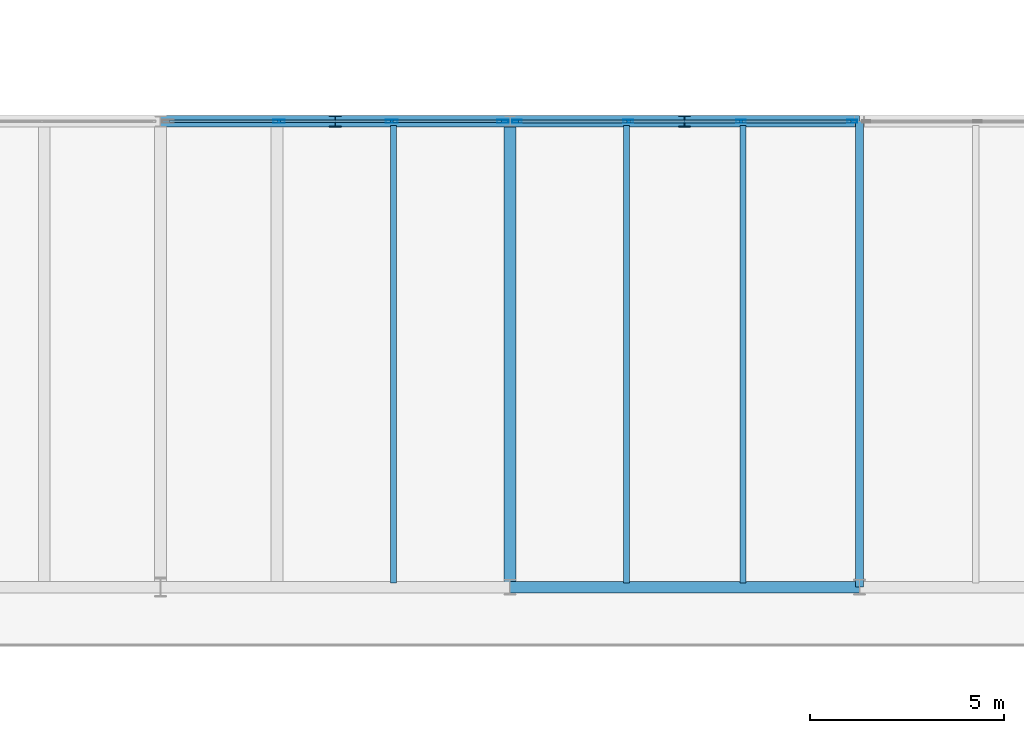
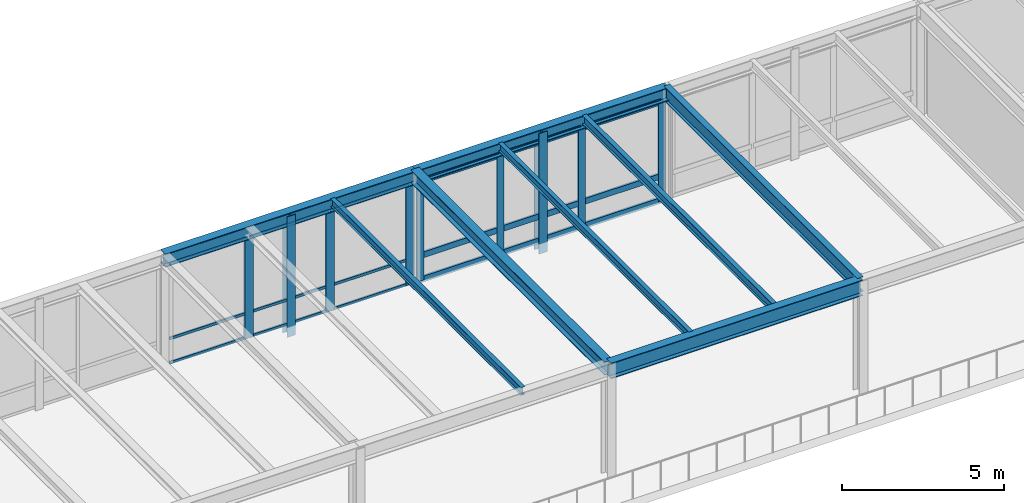
# One storey, part 68 of 115: 27 members, 8 beams, 2 elements without a shape of their own.
"""IFC4 building model written with IfcOpenShell, lengths in metres."""

from ifc_helpers import new_model, si_unit, direction, frame, origin, origin_2d, place, context, subcontext, project, spatial, hollow_rectangle, i_section, extrude, material, layer, layer_set, material_profile, profile_set, type_object, element, aggregate, save


model = new_model("IFC4")

# Units and contexts
model_context = context("Model", 3, precision=1e-05, world=origin(), true_north=direction((0.0, 1.0)))
body_context = subcontext(model_context, "Body", "Model", "MODEL_VIEW")
ifc_project = project(units=[si_unit("LENGTHUNIT", "METRE"), si_unit("AREAUNIT", "SQUARE_METRE"), si_unit("VOLUMEUNIT", "CUBIC_METRE"), si_unit("PLANEANGLEUNIT", "RADIAN"), si_unit("MASSUNIT", "GRAM", prefix="KILO")], contexts=[model_context])

# Site, building, storey
site_placement = place(None, origin())
site = spatial("IfcSite", under=ifc_project, at=site_placement, CompositionType="ELEMENT")
building_placement = place(site_placement, origin())
building = spatial("IfcBuilding", under=site, at=building_placement, Name="Montelvaro Courts of Justice", CompositionType="ELEMENT")
storey_placement = place(building_placement, frame((0.0, 0.0, 9.89990234375)))
storey = spatial("IfcBuildingStorey", under=building, at=storey_placement, Name="L02", CompositionType="ELEMENT", Elevation=9.89990234375)

# Beams
ifc_material_1 = material(Name="Steel S355", Category="steel")
ifc_material_profile_1 = material_profile(ifc_material_1, i_section(OverallWidth=0.300048828125, OverallDepth=0.489990234375, WebThickness=0.011962890625, FlangeThickness=0.02294921875, at=origin_2d()), Name="HEA 500")
ifc_profile_set_1 = profile_set([ifc_material_profile_1], Name="Steel S355")
beam_type_1 = type_object("IfcBeamType", Name="Beam_HEA500", PredefinedType="USERDEFINED", material=ifc_profile_set_1)
beam_1_placement = place(storey_placement, frame((54.0, 96.0, 4.05517578125), z_axis=(0.0, 1.0, 0.0), x_axis=(-1.0, 0.0, 0.0)))
element("IfcBeam", 1, at=beam_1_placement, inside=storey, type_object=beam_type_1, Name="Beam B-19 L02", ObjectType="GIRDER", PredefinedType="USERDEFINED", context=body_context, shape_type="SweptSolid", body=[
    extrude(i_section(OverallWidth=0.300048828125, OverallDepth=0.489990234375, WebThickness=0.011962890625, FlangeThickness=0.02294921875, at=origin_2d()), origin(), (0.0, 0.0, 1.0), 12.0),
])
ifc_material_profile_2 = material_profile(ifc_material_1, i_section(OverallWidth=0.300048828125, OverallDepth=0.590087890625, WebThickness=0.012939453125, FlangeThickness=0.02490234375, at=origin_2d()), Name="HEA 600")
ifc_profile_set_2 = profile_set([ifc_material_profile_2], Name="Steel S355")
beam_type_2 = type_object("IfcBeamType", Name="Beam_HEA600", PredefinedType="USERDEFINED", material=ifc_profile_set_2)
beam_2_placement = place(storey_placement, frame((54.0, 96.0, 4.005126953125), z_axis=(1.0, 0.0, 0.0), x_axis=(0.0, 1.0, 0.0)))
element("IfcBeam", 2, at=beam_2_placement, inside=storey, type_object=beam_type_2, Name="Beam B-21 L02", ObjectType="GIRDER", PredefinedType="USERDEFINED", context=body_context, shape_type="SweptSolid", body=[
    extrude(i_section(OverallWidth=0.300048828125, OverallDepth=0.590087890625, WebThickness=0.012939453125, FlangeThickness=0.02490234375, at=origin_2d()), origin(), (0.0, 0.0, 1.0), 9.0),
])
ifc_material_profile_3 = material_profile(ifc_material_1, i_section(OverallWidth=0.300048828125, OverallDepth=0.5, WebThickness=0.014404296875, FlangeThickness=0.028076171875, at=origin_2d()), Name="HEB 500")
ifc_profile_set_3 = profile_set([ifc_material_profile_3], Name="Steel S355")
beam_type_3 = type_object("IfcBeamType", Name="Beam_HEB500", PredefinedType="USERDEFINED", material=ifc_profile_set_3)
for number, where, z_axis, x_axis, name in (
    (3, (45.0, 108.0, 4.050048828125), (1.0, 0.0, 0.0), (0.0, 1.0, 0.0), "Beam B-25 L02"),
    (4, (54.0, 108.0, 4.050048828125), (1.0, 0.0, 0.0), (0.0, 1.0, 0.0), "Beam B-25 L02"),
):
    element("IfcBeam", number, at=place(storey_placement, frame(where, z_axis=z_axis, x_axis=x_axis)), inside=storey, type_object=beam_type_3, Name=name, ObjectType="GIRDER", PredefinedType="USERDEFINED", context=body_context, shape_type="SweptSolid", body=[
        extrude(i_section(OverallWidth=0.300048828125, OverallDepth=0.5, WebThickness=0.014404296875, FlangeThickness=0.028076171875, at=origin_2d()), origin(), (0.0, 0.0, 1.0), 9.0),
    ])
ifc_material_profile_4 = material_profile(ifc_material_1, i_section(OverallWidth=0.14990234375, OverallDepth=0.300048828125, WebThickness=0.007080078125, FlangeThickness=0.0107421875, at=origin_2d()), Name="IPE 300")
ifc_profile_set_4 = profile_set([ifc_material_profile_4], Name="Steel S355")
beam_type_4 = type_object("IfcBeamType", Name="Beam_IPE300", PredefinedType="BEAM", material=ifc_profile_set_4)
for number, where, z_axis, x_axis, name in (
    (5, (51.0, 96.110107421875, 4.150146484375), (0.0, 1.0, 0.0), (-1.0, 0.0, 0.0), "Beam B-05 L02"),
    (6, (57.0, 96.110107421875, 4.150146484375), (0.0, 1.0, 0.0), (-1.0, 0.0, 0.0), "Beam B-05 L02"),
):
    element("IfcBeam", number, at=place(storey_placement, frame(where, z_axis=z_axis, x_axis=x_axis)), inside=storey, type_object=beam_type_4, Name=name, PredefinedType="BEAM", context=body_context, shape_type="SweptSolid", body=[
        extrude(i_section(OverallWidth=0.14990234375, OverallDepth=0.300048828125, WebThickness=0.007080078125, FlangeThickness=0.0107421875, at=origin_2d()), origin(), (0.0, 0.0, 1.0), 11.77978515625),
    ])
ifc_material_profile_5 = material_profile(ifc_material_1, i_section(OverallWidth=0.159912109375, OverallDepth=0.330078125, WebThickness=0.007568359375, FlangeThickness=0.011474609375, at=origin_2d()), Name="IPE 330")
ifc_profile_set_5 = profile_set([ifc_material_profile_5], Name="Steel S355")
beam_type_5 = type_object("IfcBeamType", Name="Beam_IPE330", PredefinedType="BEAM", material=ifc_profile_set_5)
beam_3_placement = place(storey_placement, frame((60.0, 96.110107421875, 4.135009765625), z_axis=(0.0, 1.0, 0.0), x_axis=(-1.0, 0.0, 0.0)))
element("IfcBeam", 7, at=beam_3_placement, inside=storey, type_object=beam_type_5, Name="Beam B-06 L02", PredefinedType="BEAM", context=body_context, shape_type="SweptSolid", body=[
    extrude(i_section(OverallWidth=0.159912109375, OverallDepth=0.330078125, WebThickness=0.007568359375, FlangeThickness=0.011474609375, at=origin_2d()), origin(), (0.0, 0.0, 1.0), 11.77978515625),
])
ifc_material_profile_6 = material_profile(ifc_material_1, i_section(OverallWidth=0.2099609375, OverallDepth=0.550048828125, WebThickness=0.010986328125, FlangeThickness=0.01708984375, at=origin_2d()), Name="IPE 550")
ifc_profile_set_6 = profile_set([ifc_material_profile_6], Name="Steel S355")
beam_type_6 = type_object("IfcBeamType", Name="Beam_IPE550", PredefinedType="BEAM", material=ifc_profile_set_6)
beam_4_placement = place(storey_placement, frame((63.0, 96.0, 4.025146484375), z_axis=(0.0, 1.0, 0.0), x_axis=(-1.0, 0.0, 0.0)))
element("IfcBeam", 8, at=beam_4_placement, inside=storey, type_object=beam_type_6, Name="Beam B-11 L02", PredefinedType="BEAM", context=body_context, shape_type="SweptSolid", body=[
    extrude(i_section(OverallWidth=0.2099609375, OverallDepth=0.550048828125, WebThickness=0.010986328125, FlangeThickness=0.01708984375, at=origin_2d()), origin(), (0.0, 0.0, 1.0), 12.0),
])

# Curtain wall, members
ifc_material_2 = material(Name="Anodised aluminium EN AW-6063", Category="aluminium")
ifc_layer = layer(ifc_material_2, 0.159912109375)
ifc_layer_set = layer_set([ifc_layer], Name="Anodised aluminium EN AW-6063")
curtain_wall_type = type_object("IfcCurtainWallType", Name="CurtainWall_18_868x418", PredefinedType="USERDEFINED", material=ifc_layer_set)
curtain_wall_1_placement = place(storey_placement, origin())
curtain_wall_1 = element("IfcCurtainWall", 9, at=curtain_wall_1_placement, inside=storey, type_object=curtain_wall_type, Name="Curtain Wall CW-18 (L02)", ObjectType="CURTAIN WALL", PredefinedType="USERDEFINED")
ifc_material_profile_7 = material_profile(ifc_material_2, hollow_rectangle(XDim=0.074951171875, YDim=0.25, WallThickness=0.005615234375, at=origin_2d()), Name="ALU-M 75x250")
ifc_profile_set_7 = profile_set([ifc_material_profile_7], Name="Anodised aluminium EN AW-6063")
member_type_1 = type_object("IfcMemberType", Name="CurtainWall_Mullion_75x250", PredefinedType="MULLION", material=ifc_profile_set_7)
member_1_placement = place(storey_placement, frame((62.8173828125, 108.0, 0.0), z_axis=(0.0, 0.0, 1.0), x_axis=(0.0, -1.0, 0.0)))
member_1 = element("IfcMember", 10, at=member_1_placement, type_object=member_type_1, Name="CW-18 mullion 1", PredefinedType="MULLION", context=body_context, shape_type="SweptSolid", body=[
    extrude(hollow_rectangle(XDim=0.074951171875, YDim=0.25, WallThickness=0.005615234375, at=origin_2d()), origin(), (0.0, 0.0, 1.0), 3.795166015625),
])
member_2_placement = place(storey_placement, frame((59.95166015625, 108.0, 0.0), z_axis=(0.0, 0.0, 1.0), x_axis=(0.0, -1.0, 0.0)))
member_2 = element("IfcMember", 11, at=member_2_placement, type_object=member_type_1, Name="CW-18 mullion 2", PredefinedType="MULLION", context=body_context, shape_type="SweptSolid", body=[
    extrude(hollow_rectangle(XDim=0.074951171875, YDim=0.25, WallThickness=0.005615234375, at=origin_2d()), origin(), (0.0, 0.0, 1.0), 3.795166015625),
])
member_3_placement = place(storey_placement, frame((57.04833984375, 108.0, 0.0), z_axis=(0.0, 0.0, 1.0), x_axis=(0.0, -1.0, 0.0)))
member_3 = element("IfcMember", 12, at=member_3_placement, type_object=member_type_1, Name="CW-18 mullion 3", PredefinedType="MULLION", context=body_context, shape_type="SweptSolid", body=[
    extrude(hollow_rectangle(XDim=0.074951171875, YDim=0.25, WallThickness=0.005615234375, at=origin_2d()), origin(), (0.0, 0.0, 1.0), 3.795166015625),
])
member_4_placement = place(storey_placement, frame((54.1826171875, 108.0, 0.0), z_axis=(0.0, 0.0, 1.0), x_axis=(0.0, -1.0, 0.0)))
member_4 = element("IfcMember", 13, at=member_4_placement, type_object=member_type_1, Name="CW-18 mullion 4", PredefinedType="MULLION", context=body_context, shape_type="SweptSolid", body=[
    extrude(hollow_rectangle(XDim=0.074951171875, YDim=0.25, WallThickness=0.005615234375, at=origin_2d()), origin(), (0.0, 0.0, 1.0), 3.795166015625),
])

curtain_wall_2_placement = place(storey_placement, origin())
curtain_wall_2 = element("IfcCurtainWall", 14, at=curtain_wall_2_placement, inside=storey, type_object=curtain_wall_type, Name="Curtain Wall CW-18 (L02)", ObjectType="CURTAIN WALL", PredefinedType="USERDEFINED")
ifc_material_profile_8 = material_profile(ifc_material_2, hollow_rectangle(XDim=0.074951171875, YDim=0.300048828125, WallThickness=0.006103515625, at=origin_2d()), Name="ALU-M 75x300")
ifc_profile_set_8 = profile_set([ifc_material_profile_8], Name="Anodised aluminium EN AW-6063")
member_type_2 = type_object("IfcMemberType", Name="CurtainWall_Mullion_75x300", PredefinedType="MULLION", material=ifc_profile_set_8)
member_5_placement = place(storey_placement, frame((53.8173828125, 108.0, 0.0), z_axis=(0.0, 0.0, 1.0), x_axis=(0.0, -1.0, 0.0)))
member_5 = element("IfcMember", 15, at=member_5_placement, type_object=member_type_2, Name="CW-18 mullion 1", PredefinedType="MULLION", context=body_context, shape_type="SweptSolid", body=[
    extrude(hollow_rectangle(XDim=0.074951171875, YDim=0.300048828125, WallThickness=0.006103515625, at=origin_2d()), origin(), (0.0, 0.0, 1.0), 3.795166015625),
])
member_6_placement = place(storey_placement, frame((50.955078125, 108.0, 0.0), z_axis=(0.0, 0.0, 1.0), x_axis=(0.0, -1.0, 0.0)))
member_6 = element("IfcMember", 16, at=member_6_placement, type_object=member_type_2, Name="CW-18 mullion 2", PredefinedType="MULLION", context=body_context, shape_type="SweptSolid", body=[
    extrude(hollow_rectangle(XDim=0.074951171875, YDim=0.300048828125, WallThickness=0.006103515625, at=origin_2d()), origin(), (0.0, 0.0, 1.0), 3.795166015625),
])
member_7_placement = place(storey_placement, frame((48.054931640625, 108.0, 0.0), z_axis=(0.0, 0.0, 1.0), x_axis=(0.0, -1.0, 0.0)))
member_7 = element("IfcMember", 17, at=member_7_placement, type_object=member_type_2, Name="CW-18 mullion 3", PredefinedType="MULLION", context=body_context, shape_type="SweptSolid", body=[
    extrude(hollow_rectangle(XDim=0.074951171875, YDim=0.300048828125, WallThickness=0.006103515625, at=origin_2d()), origin(), (0.0, 0.0, 1.0), 3.795166015625),
])
ifc_material_profile_9 = material_profile(ifc_material_2, hollow_rectangle(XDim=0.06005859375, YDim=0.10009765625, WallThickness=0.00341796875, at=origin_2d()), Name="ALU-T 60x100")
ifc_profile_set_9 = profile_set([ifc_material_profile_9], Name="Anodised aluminium EN AW-6063")
member_type_3 = type_object("IfcMemberType", Name="CurtainWall_Transom_60x100", PredefinedType="USERDEFINED", material=ifc_profile_set_9)
member_8_placement = place(storey_placement, frame((53.780029296875, 108.0, 0.030029296875), z_axis=(-1.0, 0.0, 0.0), x_axis=(0.0, -1.0, 0.0)))
member_8 = element("IfcMember", 18, at=member_8_placement, type_object=member_type_3, Name="CW-18 transom 1.1", ObjectType="TRANSOM", PredefinedType="USERDEFINED", context=body_context, shape_type="SweptSolid", body=[
    extrude(hollow_rectangle(XDim=0.06005859375, YDim=0.10009765625, WallThickness=0.00341796875, at=origin_2d()), origin(), (0.0, 0.0, 1.0), 2.78759765625),
])
member_9_placement = place(storey_placement, frame((53.780029296875, 108.0, 0.9501953125), z_axis=(-1.0, 0.0, 0.0), x_axis=(0.0, -1.0, 0.0)))
member_9 = element("IfcMember", 19, at=member_9_placement, type_object=member_type_3, Name="CW-18 transom 1.2", ObjectType="TRANSOM", PredefinedType="USERDEFINED", context=body_context, shape_type="SweptSolid", body=[
    extrude(hollow_rectangle(XDim=0.06005859375, YDim=0.10009765625, WallThickness=0.00341796875, at=origin_2d()), origin(), (0.0, 0.0, 1.0), 2.78759765625),
])
member_10_placement = place(storey_placement, frame((53.780029296875, 108.0, 3.76513671875), z_axis=(-1.0, 0.0, 0.0), x_axis=(0.0, -1.0, 0.0)))
member_10 = element("IfcMember", 20, at=member_10_placement, type_object=member_type_3, Name="CW-18 transom 1.3", ObjectType="TRANSOM", PredefinedType="USERDEFINED", context=body_context, shape_type="SweptSolid", body=[
    extrude(hollow_rectangle(XDim=0.06005859375, YDim=0.10009765625, WallThickness=0.00341796875, at=origin_2d()), origin(), (0.0, 0.0, 1.0), 2.78759765625),
])
member_11_placement = place(storey_placement, frame((50.91748046875, 108.0, 0.030029296875), z_axis=(-1.0, 0.0, 0.0), x_axis=(0.0, -1.0, 0.0)))
member_11 = element("IfcMember", 21, at=member_11_placement, type_object=member_type_3, Name="CW-18 transom 2.1", ObjectType="TRANSOM", PredefinedType="USERDEFINED", context=body_context, shape_type="SweptSolid", body=[
    extrude(hollow_rectangle(XDim=0.06005859375, YDim=0.10009765625, WallThickness=0.00341796875, at=origin_2d()), origin(), (0.0, 0.0, 1.0), 2.824951171875),
])
member_12_placement = place(storey_placement, frame((50.91748046875, 108.0, 0.9501953125), z_axis=(-1.0, 0.0, 0.0), x_axis=(0.0, -1.0, 0.0)))
member_12 = element("IfcMember", 22, at=member_12_placement, type_object=member_type_3, Name="CW-18 transom 2.2", ObjectType="TRANSOM", PredefinedType="USERDEFINED", context=body_context, shape_type="SweptSolid", body=[
    extrude(hollow_rectangle(XDim=0.06005859375, YDim=0.10009765625, WallThickness=0.00341796875, at=origin_2d()), origin(), (0.0, 0.0, 1.0), 2.824951171875),
])
member_13_placement = place(storey_placement, frame((50.91748046875, 108.0, 3.76513671875), z_axis=(-1.0, 0.0, 0.0), x_axis=(0.0, -1.0, 0.0)))
member_13 = element("IfcMember", 23, at=member_13_placement, type_object=member_type_3, Name="CW-18 transom 2.3", ObjectType="TRANSOM", PredefinedType="USERDEFINED", context=body_context, shape_type="SweptSolid", body=[
    extrude(hollow_rectangle(XDim=0.06005859375, YDim=0.10009765625, WallThickness=0.00341796875, at=origin_2d()), origin(), (0.0, 0.0, 1.0), 2.824951171875),
])
member_14_placement = place(storey_placement, frame((48.017578125, 108.0, 0.030029296875), z_axis=(-1.0, 0.0, 0.0), x_axis=(0.0, -1.0, 0.0)))
member_14 = element("IfcMember", 24, at=member_14_placement, type_object=member_type_3, Name="CW-18 transom 3.1", ObjectType="TRANSOM", PredefinedType="USERDEFINED", context=body_context, shape_type="SweptSolid", body=[
    extrude(hollow_rectangle(XDim=0.06005859375, YDim=0.10009765625, WallThickness=0.00341796875, at=origin_2d()), origin(), (0.0, 0.0, 1.0), 2.78759765625),
])
member_15_placement = place(storey_placement, frame((48.017578125, 108.0, 0.9501953125), z_axis=(-1.0, 0.0, 0.0), x_axis=(0.0, -1.0, 0.0)))
member_15 = element("IfcMember", 25, at=member_15_placement, type_object=member_type_3, Name="CW-18 transom 3.2", ObjectType="TRANSOM", PredefinedType="USERDEFINED", context=body_context, shape_type="SweptSolid", body=[
    extrude(hollow_rectangle(XDim=0.06005859375, YDim=0.10009765625, WallThickness=0.00341796875, at=origin_2d()), origin(), (0.0, 0.0, 1.0), 2.78759765625),
])
member_16_placement = place(storey_placement, frame((48.017578125, 108.0, 3.76513671875), z_axis=(-1.0, 0.0, 0.0), x_axis=(0.0, -1.0, 0.0)))
member_16 = element("IfcMember", 26, at=member_16_placement, type_object=member_type_3, Name="CW-18 transom 3.3", ObjectType="TRANSOM", PredefinedType="USERDEFINED", context=body_context, shape_type="SweptSolid", body=[
    extrude(hollow_rectangle(XDim=0.06005859375, YDim=0.10009765625, WallThickness=0.00341796875, at=origin_2d()), origin(), (0.0, 0.0, 1.0), 2.78759765625),
])
aggregate(curtain_wall_2, [member_5, member_6, member_7, member_8, member_9, member_10, member_11, member_12, member_13, member_14, member_15, member_16])

# Member
ifc_material_profile_10 = material_profile(ifc_material_2, hollow_rectangle(XDim=0.074951171875, YDim=0.219970703125, WallThickness=0.005615234375, at=origin_2d()), Name="ALU-T 75x220")
ifc_profile_set_10 = profile_set([ifc_material_profile_10], Name="Anodised aluminium EN AW-6063")
member_type_4 = type_object("IfcMemberType", Name="CurtainWall_Transom_75x220", PredefinedType="USERDEFINED", material=ifc_profile_set_10)
member_17_placement = place(storey_placement, frame((62.780029296875, 108.0, 0.03759765625), z_axis=(-1.0, 0.0, 0.0), x_axis=(0.0, -1.0, 0.0)))
member_17 = element("IfcMember", 27, at=member_17_placement, type_object=member_type_4, Name="CW-18 transom 1.1", ObjectType="TRANSOM", PredefinedType="USERDEFINED", context=body_context, shape_type="SweptSolid", body=[
    extrude(hollow_rectangle(XDim=0.074951171875, YDim=0.219970703125, WallThickness=0.005615234375, at=origin_2d()), origin(), (0.0, 0.0, 1.0), 2.790771484375),
])

member_18_placement = place(storey_placement, frame((62.780029296875, 108.0, 0.9501953125), z_axis=(-1.0, 0.0, 0.0), x_axis=(0.0, -1.0, 0.0)))
member_18 = element("IfcMember", 28, at=member_18_placement, type_object=member_type_4, Name="CW-18 transom 1.2", ObjectType="TRANSOM", PredefinedType="USERDEFINED", context=body_context, shape_type="SweptSolid", body=[
    extrude(hollow_rectangle(XDim=0.074951171875, YDim=0.219970703125, WallThickness=0.005615234375, at=origin_2d()), origin(), (0.0, 0.0, 1.0), 2.790771484375),
])

member_19_placement = place(storey_placement, frame((62.780029296875, 108.0, 3.757568359375), z_axis=(-1.0, 0.0, 0.0), x_axis=(0.0, -1.0, 0.0)))
member_19 = element("IfcMember", 29, at=member_19_placement, type_object=member_type_4, Name="CW-18 transom 1.3", ObjectType="TRANSOM", PredefinedType="USERDEFINED", context=body_context, shape_type="SweptSolid", body=[
    extrude(hollow_rectangle(XDim=0.074951171875, YDim=0.219970703125, WallThickness=0.005615234375, at=origin_2d()), origin(), (0.0, 0.0, 1.0), 2.790771484375),
])

member_20_placement = place(storey_placement, frame((59.9140625, 108.0, 0.03759765625), z_axis=(-1.0, 0.0, 0.0), x_axis=(0.0, -1.0, 0.0)))
member_20 = element("IfcMember", 30, at=member_20_placement, type_object=member_type_4, Name="CW-18 transom 2.1", ObjectType="TRANSOM", PredefinedType="USERDEFINED", context=body_context, shape_type="SweptSolid", body=[
    extrude(hollow_rectangle(XDim=0.074951171875, YDim=0.219970703125, WallThickness=0.005615234375, at=origin_2d()), origin(), (0.0, 0.0, 1.0), 2.828125),
])

member_21_placement = place(storey_placement, frame((59.9140625, 108.0, 0.9501953125), z_axis=(-1.0, 0.0, 0.0), x_axis=(0.0, -1.0, 0.0)))
member_21 = element("IfcMember", 31, at=member_21_placement, type_object=member_type_4, Name="CW-18 transom 2.2", ObjectType="TRANSOM", PredefinedType="USERDEFINED", context=body_context, shape_type="SweptSolid", body=[
    extrude(hollow_rectangle(XDim=0.074951171875, YDim=0.219970703125, WallThickness=0.005615234375, at=origin_2d()), origin(), (0.0, 0.0, 1.0), 2.828125),
])

member_22_placement = place(storey_placement, frame((59.9140625, 108.0, 3.757568359375), z_axis=(-1.0, 0.0, 0.0), x_axis=(0.0, -1.0, 0.0)))
member_22 = element("IfcMember", 32, at=member_22_placement, type_object=member_type_4, Name="CW-18 transom 2.3", ObjectType="TRANSOM", PredefinedType="USERDEFINED", context=body_context, shape_type="SweptSolid", body=[
    extrude(hollow_rectangle(XDim=0.074951171875, YDim=0.219970703125, WallThickness=0.005615234375, at=origin_2d()), origin(), (0.0, 0.0, 1.0), 2.828125),
])

member_23_placement = place(storey_placement, frame((57.0107421875, 108.0, 0.03759765625), z_axis=(-1.0, 0.0, 0.0), x_axis=(0.0, -1.0, 0.0)))
member_23 = element("IfcMember", 33, at=member_23_placement, type_object=member_type_4, Name="CW-18 transom 3.1", ObjectType="TRANSOM", PredefinedType="USERDEFINED", context=body_context, shape_type="SweptSolid", body=[
    extrude(hollow_rectangle(XDim=0.074951171875, YDim=0.219970703125, WallThickness=0.005615234375, at=origin_2d()), origin(), (0.0, 0.0, 1.0), 2.790771484375),
])

member_24_placement = place(storey_placement, frame((57.0107421875, 108.0, 0.9501953125), z_axis=(-1.0, 0.0, 0.0), x_axis=(0.0, -1.0, 0.0)))
member_24 = element("IfcMember", 34, at=member_24_placement, type_object=member_type_4, Name="CW-18 transom 3.2", ObjectType="TRANSOM", PredefinedType="USERDEFINED", context=body_context, shape_type="SweptSolid", body=[
    extrude(hollow_rectangle(XDim=0.074951171875, YDim=0.219970703125, WallThickness=0.005615234375, at=origin_2d()), origin(), (0.0, 0.0, 1.0), 2.790771484375),
])

member_25_placement = place(storey_placement, frame((57.0107421875, 108.0, 3.757568359375), z_axis=(-1.0, 0.0, 0.0), x_axis=(0.0, -1.0, 0.0)))
member_25 = element("IfcMember", 35, at=member_25_placement, type_object=member_type_4, Name="CW-18 transom 3.3", ObjectType="TRANSOM", PredefinedType="USERDEFINED", context=body_context, shape_type="SweptSolid", body=[
    extrude(hollow_rectangle(XDim=0.074951171875, YDim=0.219970703125, WallThickness=0.005615234375, at=origin_2d()), origin(), (0.0, 0.0, 1.0), 2.790771484375),
])

aggregate(curtain_wall_1, [member_1, member_2, member_3, member_4, member_17, member_18, member_19, member_20, member_21, member_22, member_23, member_24, member_25])

# Members
ifc_material_profile_11 = material_profile(ifc_material_1, i_section(OverallWidth=0.300048828125, OverallDepth=0.300048828125, WebThickness=0.010986328125, FlangeThickness=0.01904296875, at=origin_2d()), Name="HEB 300")
ifc_profile_set_11 = profile_set([ifc_material_profile_11], Name="Steel S355")
member_type_5 = type_object("IfcMemberType", Name="Mem_HEB300_Post", PredefinedType="POST", material=ifc_profile_set_11)
for number, where, z_axis, x_axis, name in (
    (36, (49.5, 108.0, -0.3798828125), (0.0, 0.0, 1.0), (1.0, 0.0, 0.0), "Ceremonial Clerestory Structural Post MP-02-03"),
    (37, (58.5, 108.0, -0.3798828125), (0.0, 0.0, 1.0), (1.0, 0.0, 0.0), "Ceremonial Clerestory Structural Post MP-02-04"),
):
    element("IfcMember", number, at=place(storey_placement, frame(where, z_axis=z_axis, x_axis=x_axis)), inside=storey, type_object=member_type_5, Name=name, PredefinedType="POST", context=body_context, shape_type="SweptSolid", body=[
        extrude(i_section(OverallWidth=0.300048828125, OverallDepth=0.300048828125, WebThickness=0.010986328125, FlangeThickness=0.01904296875, at=origin_2d()), origin(), (0.0, 0.0, 1.0), 4.56005859375),
    ])

save(model, "model.ifc")
